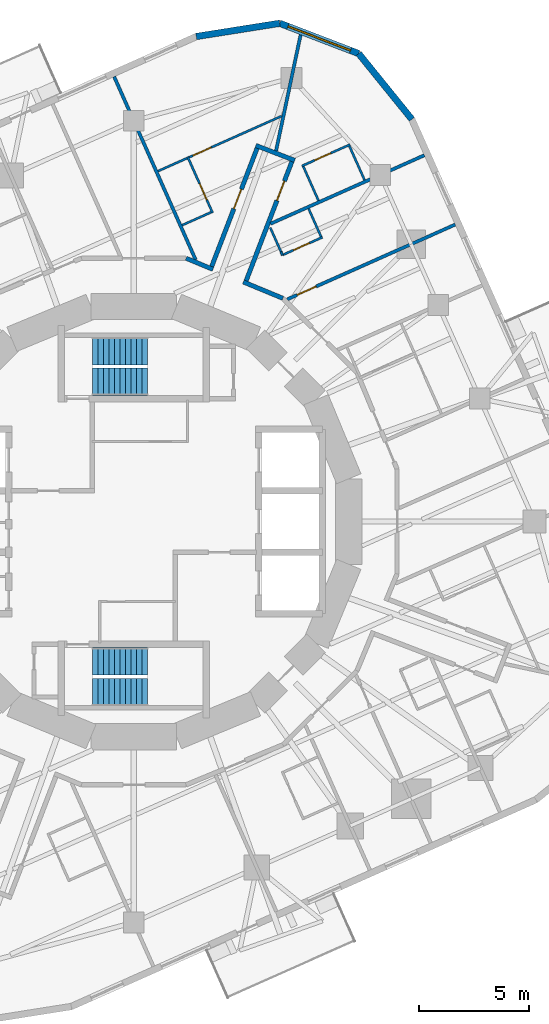
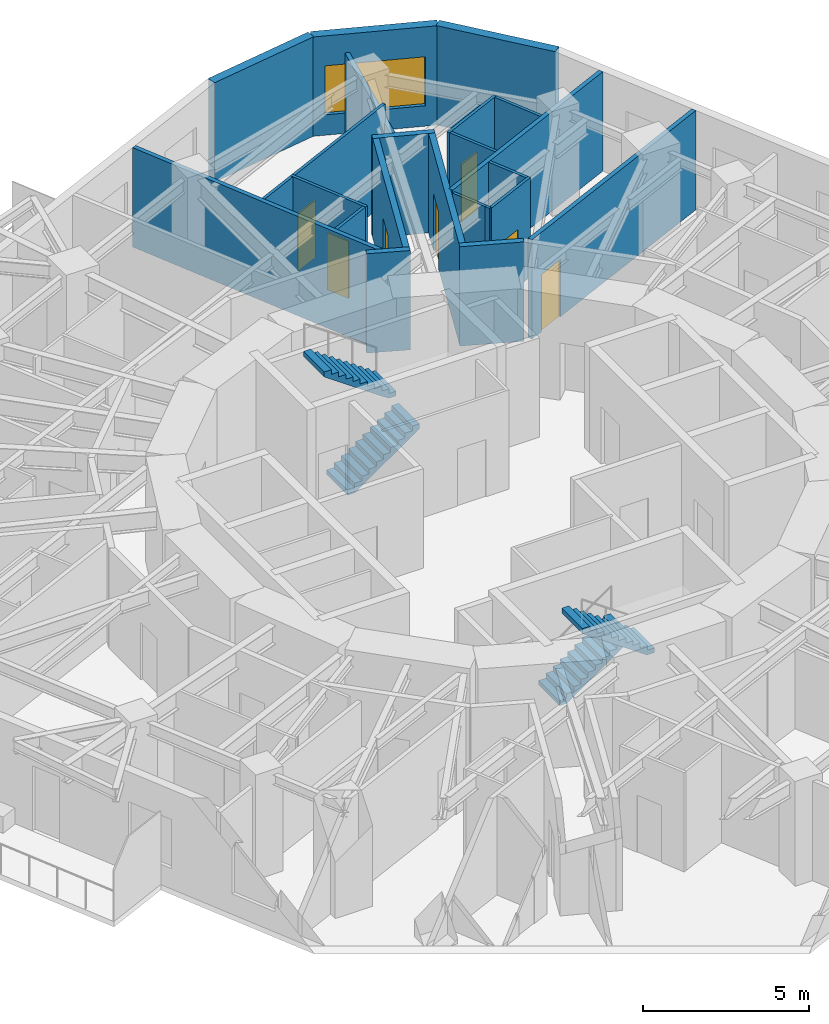
# One storey, part 10 of 12: 23 walls, 7 doors, 4 stair flights, 1 window, 8 openings, 2 elements without a shape of their own.
"""IFC4 building model written with IfcOpenShell, lengths in metres."""

from ifc_helpers import new_model, si_unit, direction, frame, frame_2d, origin, place, context, subcontext, project, spatial, polyline, rectangle, outline, extrude, material, layer, layer_set, type_object, element, fill, aggregate, save


model = new_model("IFC4")

# Units and contexts
model_context = context("Model", 3, precision=1e-05, world=origin(), true_north=direction((0.0, 1.0)))
body_context = subcontext(model_context, "Body", "Model", "MODEL_VIEW")
ifc_project = project(units=[si_unit("LENGTHUNIT", "METRE"), si_unit("AREAUNIT", "SQUARE_METRE"), si_unit("VOLUMEUNIT", "CUBIC_METRE"), si_unit("PLANEANGLEUNIT", "RADIAN"), si_unit("MASSUNIT", "GRAM", prefix="KILO")], contexts=[model_context])

# Site, building, storey
site_placement = place(None, origin())
site = spatial("IfcSite", under=ifc_project, at=site_placement, CompositionType="ELEMENT")
building_placement = place(site_placement, origin())
building = spatial("IfcBuilding", under=site, at=building_placement, Name="Nakasero Lantern House", CompositionType="ELEMENT")
storey_placement = place(building_placement, frame((0.0, 0.0, 194.0)))
storey = spatial("IfcBuildingStorey", under=building, at=storey_placement, Name="L47", CompositionType="ELEMENT", Elevation=194.0)

# Walls
ifc_material_1 = material(Name="Blockwork", Category="masonry")
ifc_layer_1 = layer(ifc_material_1, 0.199951171875)
ifc_layer_set_1 = layer_set([ifc_layer_1], Name="Corridor wall 200")
wall_type_1 = type_object("IfcWallType", Name="Corridor wall 200", PredefinedType="PARTITIONING", material=ifc_layer_set_1)
wall_1_placement = place(storey_placement, frame((2.388427734375, 12.0078125, 0.0), z_axis=(0.0, 0.0, 1.0), x_axis=(0.923893220228, -0.382650385623, 0.0)))
element("IfcWall", 1, at=wall_1_placement, inside=storey, type_object=wall_type_1, Name="Corridor wall L47 RC13a", PredefinedType="PARTITIONING", context=body_context, shape_type="SweptSolid", body=[
    extrude(rectangle(XDim=1.323974609375, YDim=0.199951171875, at=frame_2d((0.662109375, 0.0))), origin(), (0.0, 0.0, 1.0), 3.64990234375),
])
wall_2_placement = place(storey_placement, frame((4.997802734375, 10.927001953125, 0.0), z_axis=(0.0, 0.0, 1.0), x_axis=(0.923881222106, -0.382679353297, 0.0)))
element("IfcWall", 2, at=wall_2_placement, inside=storey, type_object=wall_type_1, Name="Corridor wall L47 RC13b", PredefinedType="PARTITIONING", context=body_context, shape_type="SweptSolid", body=[
    extrude(rectangle(XDim=1.952880859375, YDim=0.199951171875, at=frame_2d((0.9765625, 0.0))), origin(), (0.0, 0.0, 1.0), 3.64990234375),
])

# Wall, opening, door
wall_3_placement = place(storey_placement, frame((5.09033203125, 10.888671875, 0.0), z_axis=(0.0, 0.0, 1.0), x_axis=(0.35835059057, 0.933587089798, 0.0)))
wall_3 = element("IfcWall", 3, at=wall_3_placement, inside=storey, type_object=wall_type_1, Name="Corridor wall L47 SP0a", PredefinedType="PARTITIONING", context=body_context, shape_type="SweptSolid", body=[
    extrude(rectangle(XDim=6.117919921875, YDim=0.199951171875, at=frame_2d((3.05908203125, 0.0))), origin(), (0.0, 0.0, 1.0), 3.64990234375),
])
opening_1_placement = place(wall_3_placement, frame((4.02001953125, 0.0, 0.0)))
opening_1 = element("IfcOpeningElement", 4, at=opening_1_placement, cuts=wall_3, Name="Opening D01", PredefinedType="OPENING", context=body_context, shape_type="SweptSolid", body=[
    extrude(rectangle(XDim=0.949951171875, YDim=2.10009765625, at=frame_2d((0.47509765625, 1.050048828125))), frame((0.0, 0.119873046875, 0.0), z_axis=(0.0, -1.0, 0.0), x_axis=(1.0, 0.0, 0.0)), (0.0, 0.0, 1.0), 0.239990234375),
])
ifc_material_2 = material(Name="Timber C24", Category="wood")
door_type_1 = type_object("IfcDoorType", Name="Bedroom door FD30S 950", OperationType="SINGLE_SWING_LEFT", PredefinedType="DOOR", material=ifc_material_2)
door_1_placement = place(opening_1_placement, origin())
door_1 = element("IfcDoor", 5, at=door_1_placement, inside=storey, type_object=door_type_1, Name="Door L47 D0-06", OperationType="SINGLE_SWING_RIGHT", OverallHeight=2.10009765625, OverallWidth=0.949951171875, PredefinedType="DOOR", context=body_context, shape_type="SweptSolid", body=[
    extrude(rectangle(XDim=0.949951171875, YDim=2.10009765625, at=frame_2d((0.47509765625, 1.050048828125))), frame((0.0, 0.02490234375, 0.0), z_axis=(0.0, -1.0, 0.0), x_axis=(1.0, 0.0, 0.0)), (0.0, 0.0, 1.0), 0.050048828125),
])
fill(opening_1, door_1)

wall_4_placement = place(storey_placement, frame((3.51904296875, 11.53955078125, 0.0), z_axis=(0.0, 0.0, 1.0), x_axis=(0.358394497993, 0.93357023507, 0.0)))
wall_4 = element("IfcWall", 6, at=wall_4_placement, inside=storey, type_object=wall_type_1, Name="Corridor wall L47 SP0b", PredefinedType="PARTITIONING", context=body_context, shape_type="SweptSolid", body=[
    extrude(rectangle(XDim=6.07373046875, YDim=0.199951171875, at=frame_2d((3.036865234375, 0.0))), origin(), (0.0, 0.0, 1.0), 3.64990234375),
])
opening_2_placement = place(wall_4_placement, frame((2.919921875, 0.0, 0.0)))
opening_2 = element("IfcOpeningElement", 7, at=opening_2_placement, cuts=wall_4, Name="Opening D01", PredefinedType="OPENING", context=body_context, shape_type="SweptSolid", body=[
    extrude(rectangle(XDim=0.949951171875, YDim=2.10009765625, at=frame_2d((0.47509765625, 1.050048828125))), frame((0.0, 0.119873046875, 0.0), z_axis=(0.0, -1.0, 0.0), x_axis=(1.0, 0.0, 0.0)), (0.0, 0.0, 1.0), 0.239990234375),
])
door_2_placement = place(opening_2_placement, origin())
door_2 = element("IfcDoor", 8, at=door_2_placement, inside=storey, type_object=door_type_1, Name="Door L47 D1-00", OperationType="SINGLE_SWING_RIGHT", OverallHeight=2.10009765625, OverallWidth=0.949951171875, PredefinedType="DOOR", context=body_context, shape_type="SweptSolid", body=[
    extrude(rectangle(XDim=0.949951171875, YDim=2.10009765625, at=frame_2d((0.47509765625, 1.050048828125))), frame((0.0, 0.02490234375, 0.0), z_axis=(0.0, -1.0, 0.0), x_axis=(1.0, 0.0, 0.0)), (0.0, 0.0, 1.0), 0.050048828125),
])
fill(opening_2, door_2)

# Wall
wall_5_placement = place(storey_placement, frame((7.34033203125, 16.47119140625, 0.0), z_axis=(0.0, 0.0, 1.0), x_axis=(-0.933587135733, 0.3583504709, 0.0)))
element("IfcWall", 9, at=wall_5_placement, inside=storey, type_object=wall_type_1, Name="Corridor wall L47 SP0e", PredefinedType="PARTITIONING", context=body_context, shape_type="SweptSolid", body=[
    extrude(rectangle(XDim=1.900146484375, YDim=0.199951171875, at=frame_2d((0.9501953125, 0.0))), origin(), (0.0, 0.0, 1.0), 3.64990234375),
])

# Wall, opening, door
ifc_material_3 = material(Name="Blockwork", Category="masonry")
ifc_layer_2 = layer(ifc_material_3, 0.10009765625)
ifc_layer_set_2 = layer_set([ifc_layer_2], Name="En-suite wall 100")
wall_type_2 = type_object("IfcWallType", Name="En-suite wall 100", PredefinedType="PARTITIONING", material=ifc_layer_set_2)
wall_6_placement = place(storey_placement, frame((6.78125, 12.153564453125, 0.0), z_axis=(0.0, 0.0, 1.0), x_axis=(0.913529410294, 0.406772684097, 0.0)))
wall_6 = element("IfcWall", 10, at=wall_6_placement, inside=storey, type_object=wall_type_2, Name="En-suite wall L47 ES0-05", PredefinedType="PARTITIONING", context=body_context, shape_type="SweptSolid", body=[
    extrude(rectangle(XDim=1.999755859375, YDim=0.10009765625, at=frame_2d((1.0, 0.0))), origin(), (0.0, 0.0, 1.0), 3.64990234375),
])
opening_3_placement = place(wall_6_placement, frame((0.550048828125, 0.0, 0.0)))
opening_3 = element("IfcOpeningElement", 11, at=opening_3_placement, cuts=wall_6, Name="Opening D02", PredefinedType="OPENING", context=body_context, shape_type="SweptSolid", body=[
    extrude(rectangle(XDim=0.800048828125, YDim=2.10009765625, at=frame_2d((0.39990234375, 1.050048828125))), frame((0.0, 0.070068359375, 0.0), z_axis=(0.0, -1.0, 0.0), x_axis=(1.0, 0.0, 0.0)), (0.0, 0.0, 1.0), 0.14013671875),
])
ifc_material_4 = material(Name="Timber C24", Category="wood")
door_type_2 = type_object("IfcDoorType", Name="En-suite door 800", OperationType="SINGLE_SWING_RIGHT", PredefinedType="DOOR", material=ifc_material_4)
door_3_placement = place(opening_3_placement, origin())
door_3 = element("IfcDoor", 12, at=door_3_placement, inside=storey, type_object=door_type_2, Name="Door L47 DE0-05", OperationType="SINGLE_SWING_LEFT", OverallHeight=2.10009765625, OverallWidth=0.800048828125, PredefinedType="DOOR", context=body_context, shape_type="SweptSolid", body=[
    extrude(rectangle(XDim=0.800048828125, YDim=2.10009765625, at=frame_2d((0.39990234375, 1.050048828125))), frame((0.0, 0.02490234375, 0.0), z_axis=(0.0, -1.0, 0.0), x_axis=(1.0, 0.0, 0.0)), (0.0, 0.0, 1.0), 0.050048828125),
])
fill(opening_3, door_3)

# Wall
wall_7_placement = place(storey_placement, frame((8.542236328125, 12.992431640625, 0.0), z_axis=(0.0, 0.0, 1.0), x_axis=(-0.406866486472, 0.913487636581, 0.0)))
element("IfcWall", 13, at=wall_7_placement, inside=storey, type_object=wall_type_2, Name="En-suite wall L47 EE0-05", PredefinedType="PARTITIONING", context=body_context, shape_type="SweptSolid", body=[
    extrude(rectangle(XDim=1.39990234375, YDim=0.10009765625, at=frame_2d((0.699951171875, 0.0))), origin(), (0.0, 0.0, 1.0), 3.64990234375),
])

# Wall, opening, door
wall_8_placement = place(storey_placement, frame((7.66748046875, 16.215087890625, 0.0), z_axis=(0.0, 0.0, 1.0), x_axis=(0.913530294257, 0.40677069889, 0.0)))
wall_8 = element("IfcWall", 14, at=wall_8_placement, inside=storey, type_object=wall_type_2, Name="En-suite wall L47 ES0-06", PredefinedType="PARTITIONING", context=body_context, shape_type="SweptSolid", body=[
    extrude(rectangle(XDim=2.400146484375, YDim=0.10009765625, at=frame_2d((1.2001953125, 0.0))), origin(), (0.0, 0.0, 1.0), 3.64990234375),
])
opening_4_placement = place(wall_8_placement, frame((0.64990234375, 0.0, 0.0)))
opening_4 = element("IfcOpeningElement", 15, at=opening_4_placement, cuts=wall_8, Name="Opening D02", PredefinedType="OPENING", context=body_context, shape_type="SweptSolid", body=[
    extrude(rectangle(XDim=0.800048828125, YDim=2.10009765625, at=frame_2d((0.39990234375, 1.050048828125))), frame((0.0, 0.070068359375, 0.0), z_axis=(0.0, -1.0, 0.0), x_axis=(1.0, 0.0, 0.0)), (0.0, 0.0, 1.0), 0.14013671875),
])
door_4_placement = place(opening_4_placement, origin())
door_4 = element("IfcDoor", 16, at=door_4_placement, inside=storey, type_object=door_type_2, Name="Door L47 DE0-06", OperationType="SINGLE_SWING_LEFT", OverallHeight=2.10009765625, OverallWidth=0.800048828125, PredefinedType="DOOR", context=body_context, shape_type="SweptSolid", body=[
    extrude(rectangle(XDim=0.800048828125, YDim=2.10009765625, at=frame_2d((0.39990234375, 1.050048828125))), frame((0.0, 0.02490234375, 0.0), z_axis=(0.0, -1.0, 0.0), x_axis=(1.0, 0.0, 0.0)), (0.0, 0.0, 1.0), 0.050048828125),
])
fill(opening_4, door_4)

# Walls
wall_9_placement = place(storey_placement, frame((10.526123046875, 15.572265625, 0.0), z_axis=(0.0, 0.0, 1.0), x_axis=(-0.406724697108, 0.913550776237, 0.0)))
element("IfcWall", 17, at=wall_9_placement, inside=storey, type_object=wall_type_2, Name="En-suite wall L47 EE0-06", PredefinedType="PARTITIONING", context=body_context, shape_type="SweptSolid", body=[
    extrude(rectangle(XDim=1.699951171875, YDim=0.10009765625, at=frame_2d((0.85009765625, 0.0))), origin(), (0.0, 0.0, 1.0), 3.64990234375),
])
wall_10_placement = place(storey_placement, frame((8.425048828125, 14.63671875, 0.0), z_axis=(0.0, 0.0, 1.0), x_axis=(-0.406671340378, 0.91357452948, 0.0)))
element("IfcWall", 18, at=wall_10_placement, inside=storey, type_object=wall_type_2, Name="En-suite wall L47 EI0-06", PredefinedType="PARTITIONING", context=body_context, shape_type="SweptSolid", body=[
    extrude(rectangle(XDim=1.7001953125, YDim=0.10009765625, at=frame_2d((0.85009765625, 0.0))), origin(), (0.0, 0.0, 1.0), 3.64990234375),
])

# Wall, opening, door
wall_11_placement = place(storey_placement, frame((3.594482421875, 14.079345703125, 0.0), z_axis=(0.0, 0.0, 1.0), x_axis=(-0.406761316386, 0.913534471978, 0.0)))
wall_11 = element("IfcWall", 19, at=wall_11_placement, inside=storey, type_object=wall_type_2, Name="En-suite wall L47 ES1-00", PredefinedType="PARTITIONING", context=body_context, shape_type="SweptSolid", body=[
    extrude(rectangle(XDim=2.800048828125, YDim=0.10009765625, at=frame_2d((1.39990234375, 0.0))), origin(), (0.0, 0.0, 1.0), 3.64990234375),
])
opening_5_placement = place(wall_11_placement, frame((0.64990234375, 0.0, 0.0)))
opening_5 = element("IfcOpeningElement", 20, at=opening_5_placement, cuts=wall_11, Name="Opening D02", PredefinedType="OPENING", context=body_context, shape_type="SweptSolid", body=[
    extrude(rectangle(XDim=0.800048828125, YDim=2.10009765625, at=frame_2d((0.39990234375, 1.050048828125))), frame((0.0, 0.070068359375, 0.0), z_axis=(0.0, -1.0, 0.0), x_axis=(1.0, 0.0, 0.0)), (0.0, 0.0, 1.0), 0.14013671875),
])
door_5_placement = place(opening_5_placement, origin())
door_5 = element("IfcDoor", 21, at=door_5_placement, inside=storey, type_object=door_type_2, Name="Door L47 DE1-00", OperationType="SINGLE_SWING_LEFT", OverallHeight=2.10009765625, OverallWidth=0.800048828125, PredefinedType="DOOR", context=body_context, shape_type="SweptSolid", body=[
    extrude(rectangle(XDim=0.800048828125, YDim=2.10009765625, at=frame_2d((0.39990234375, 1.050048828125))), frame((0.0, 0.02490234375, 0.0), z_axis=(0.0, -1.0, 0.0), x_axis=(1.0, 0.0, 0.0)), (0.0, 0.0, 1.0), 0.050048828125),
])
fill(opening_5, door_5)

# Walls
for number, where, z_axis, x_axis, name in (
    (22, (2.430419921875, 16.571044921875, 0.0), (0.0, 0.0, 1.0), (-0.91359617957, -0.406622700638, 0.0), "En-suite wall L47 EE1-00"),
    (23, (3.528564453125, 14.1044921875, 0.0), (0.0, 0.0, 1.0), (-0.91359617957, -0.406622700638, 0.0), "En-suite wall L47 EI1-00"),
):
    element("IfcWall", number, at=place(storey_placement, frame(where, z_axis=z_axis, x_axis=x_axis)), inside=storey, type_object=wall_type_2, Name=name, PredefinedType="PARTITIONING", context=body_context, shape_type="SweptSolid", body=[
        extrude(rectangle(XDim=1.449951171875, YDim=0.10009765625, at=frame_2d((0.72509765625, 0.0))), origin(), (0.0, 0.0, 1.0), 3.64990234375),
    ])

# Wall, opening, door
wall_12_placement = place(storey_placement, frame((6.749267578125, 18.494140625, 0.0), z_axis=(0.0, 0.0, 1.0), x_axis=(-0.913537222533, -0.406755138931, 0.0)))
wall_12 = element("IfcWall", 24, at=wall_12_placement, inside=storey, type_object=wall_type_2, Name="En-suite wall L47 EL1-00", PredefinedType="PARTITIONING", context=body_context, shape_type="SweptSolid", body=[
    extrude(rectangle(XDim=4.627685546875, YDim=0.10009765625, at=frame_2d((2.31396484375, 0.0))), origin(), (0.0, 0.0, 1.0), 3.64990234375),
])
opening_6_placement = place(wall_12_placement, frame((3.527587890625, 0.0, 0.0)))
opening_6 = element("IfcOpeningElement", 25, at=opening_6_placement, cuts=wall_12, Name="Opening D17", PredefinedType="OPENING", context=body_context, shape_type="SweptSolid", body=[
    extrude(rectangle(XDim=0.89990234375, YDim=2.10009765625, at=frame_2d((0.449951171875, 1.050048828125))), frame((0.0, 0.070068359375, 0.0), z_axis=(0.0, -1.0, 0.0), x_axis=(1.0, 0.0, 0.0)), (0.0, 0.0, 1.0), 0.14013671875),
])
ifc_material_5 = material(Name="Timber C24", Category="wood")
door_type_3 = type_object("IfcDoorType", Name="Bedroom door FD30S 900", OperationType="SINGLE_SWING_LEFT", PredefinedType="DOOR", material=ifc_material_5)
door_6_placement = place(opening_6_placement, origin())
door_6 = element("IfcDoor", 26, at=door_6_placement, inside=storey, type_object=door_type_3, Name="Door L47 DL1-00", OperationType="SINGLE_SWING_RIGHT", OverallHeight=2.10009765625, OverallWidth=0.89990234375, PredefinedType="DOOR", context=body_context, shape_type="SweptSolid", body=[
    extrude(rectangle(XDim=0.89990234375, YDim=2.10009765625, at=frame_2d((0.449951171875, 1.050048828125))), frame((0.0, 0.02490234375, 0.0), z_axis=(0.0, -1.0, 0.0), x_axis=(1.0, 0.0, 0.0)), (0.0, 0.0, 1.0), 0.050048828125),
])
fill(opening_6, door_6)

# Walls
wall_13_placement = place(storey_placement, frame((6.225830078125, 13.400634765625, 0.0), z_axis=(0.0, 0.0, 1.0), x_axis=(0.406739792336, -0.913544055495, 0.0)))
element("IfcWall", 27, at=wall_13_placement, inside=storey, type_object=wall_type_2, Name="En-suite wall L47 EX000", PredefinedType="PARTITIONING", context=body_context, shape_type="SweptSolid", body=[
    extrude(rectangle(XDim=1.205322265625, YDim=0.10009765625, at=frame_2d((0.6025390625, 0.0))), origin(), (0.0, 0.0, 1.0), 3.64990234375),
])
wall_14_placement = place(storey_placement, frame((6.78125, 12.153564453125, 0.0), z_axis=(0.0, 0.0, 1.0), x_axis=(-0.407696311466, 0.913117581485, 0.0)))
element("IfcWall", 28, at=wall_14_placement, inside=storey, type_object=wall_type_2, Name="En-suite wall L47 ES0-05R0", PredefinedType="PARTITIONING", context=body_context, shape_type="SweptSolid", body=[
    extrude(rectangle(XDim=0.159912109375, YDim=0.10009765625, at=frame_2d((0.080078125, 0.0))), origin(), (0.0, 0.0, 1.0), 3.64990234375),
])
ifc_material_6 = material(Name="Aluminium rainscreen on blockwork", Category="masonry")
ifc_layer_3 = layer(ifc_material_6, 0.300048828125)
ifc_layer_set_3 = layer_set([ifc_layer_3], Name="Facade wall 300")
wall_type_3 = type_object("IfcWallType", Name="Facade wall 300", PredefinedType="SOLIDWALL", material=ifc_layer_set_3)
wall_15_placement = place(storey_placement, frame((12.684814453125, 18.345458984375, 0.0), z_axis=(0.0, 0.0, 1.0), x_axis=(-0.629285642335, 0.777174099125, 0.0)))
element("IfcWall", 29, at=wall_15_placement, inside=storey, type_object=wall_type_3, Name="Facade wall L47 FW0C1", PredefinedType="SOLIDWALL", context=body_context, shape_type="SweptSolid", body=[
    extrude(rectangle(XDim=3.8564453125, YDim=0.300048828125, at=frame_2d((1.92822265625, 0.0))), origin(), (0.0, 0.0, 1.0), 3.64990234375),
])

# Wall, opening, window
wall_16_placement = place(storey_placement, frame((10.258056640625, 21.342529296875, 0.0), z_axis=(0.0, 0.0, 1.0), x_axis=(-0.933598278948, 0.358321438858, 0.0)))
wall_16 = element("IfcWall", 30, at=wall_16_placement, inside=storey, type_object=wall_type_3, Name="Facade wall L47 FW0C2", PredefinedType="SOLIDWALL", context=body_context, shape_type="SweptSolid", body=[
    extrude(rectangle(XDim=3.8564453125, YDim=0.300048828125, at=frame_2d((1.92822265625, 0.0))), origin(), (0.0, 0.0, 1.0), 3.64990234375),
])
opening_7_placement = place(wall_16_placement, frame((0.39990234375, 0.0, 0.75)))
opening_7 = element("IfcOpeningElement", 31, at=opening_7_placement, cuts=wall_16, Name="Opening W230", PredefinedType="OPENING", context=body_context, shape_type="SweptSolid", body=[
    extrude(rectangle(XDim=3.055908203125, YDim=1.800048828125, at=frame_2d((1.52783203125, 0.89990234375))), frame((0.0, 0.169921875, 0.0), z_axis=(0.0, -1.0, 0.0), x_axis=(1.0, 0.0, 0.0)), (0.0, 0.0, 1.0), 0.340087890625),
])
ifc_material_7 = material(Name="Aluminium 6063-T6 and glass", Category="aluminium")
window_type = type_object("IfcWindowType", Name="Corner window 3056x1800", PartitioningType="SINGLE_PANEL", PredefinedType="WINDOW", material=ifc_material_7)
window_placement = place(opening_7_placement, origin())
window = element("IfcWindow", 32, at=window_placement, inside=storey, type_object=window_type, Name="Window L47 WC0", OverallHeight=1.800048828125, OverallWidth=3.055908203125, PartitioningType="SINGLE_PANEL", PredefinedType="WINDOW", context=body_context, shape_type="SweptSolid", body=[
    extrude(rectangle(XDim=3.055908203125, YDim=1.800048828125, at=frame_2d((1.52783203125, 0.89990234375))), frame((0.0, 0.030029296875, 0.0), z_axis=(0.0, -1.0, 0.0), x_axis=(1.0, 0.0, 0.0)), (0.0, 0.0, 1.0), 0.06005859375),
])
fill(opening_7, window)

# Wall
wall_17_placement = place(storey_placement, frame((6.65771484375, 22.724365234375, 0.0), z_axis=(0.0, 0.0, 1.0), x_axis=(-0.987687906802, -0.156437203878, 0.0)))
element("IfcWall", 33, at=wall_17_placement, inside=storey, type_object=wall_type_3, Name="Facade wall L47 FW0C3", PredefinedType="SOLIDWALL", context=body_context, shape_type="SweptSolid", body=[
    extrude(rectangle(XDim=3.856201171875, YDim=0.300048828125, at=frame_2d((1.92822265625, 0.0))), origin(), (0.0, 0.0, 1.0), 3.64990234375),
])

# Wall, opening, door
ifc_material_8 = material(Name="Blockwork", Category="masonry")
ifc_layer_4 = layer(ifc_material_8, 0.14990234375)
ifc_layer_set_4 = layer_set([ifc_layer_4], Name="Party wall 150")
wall_type_4 = type_object("IfcWallType", Name="Party wall 150", PredefinedType="PARTITIONING", material=ifc_layer_set_4)
wall_18_placement = place(storey_placement, frame((6.99267578125, 10.130615234375, 0.0), z_axis=(0.0, 0.0, 1.0), x_axis=(0.913547411288, 0.406732255089, 0.0)))
wall_18 = element("IfcWall", 34, at=wall_18_placement, inside=storey, type_object=wall_type_4, Name="Party wall L47 PW0-05", PredefinedType="PARTITIONING", context=body_context, shape_type="SweptSolid", body=[
    extrude(rectangle(XDim=8.3916015625, YDim=0.14990234375, at=frame_2d((4.19580078125, 0.0))), origin(), (0.0, 0.0, 1.0), 3.64990234375),
])
opening_8_placement = place(wall_18_placement, frame((0.5, 0.0, 0.0)))
opening_8 = element("IfcOpeningElement", 35, at=opening_8_placement, cuts=wall_18, Name="Opening D01", PredefinedType="OPENING", context=body_context, shape_type="SweptSolid", body=[
    extrude(rectangle(XDim=0.949951171875, YDim=2.10009765625, at=frame_2d((0.47509765625, 1.050048828125))), frame((0.0, 0.094970703125, 0.0), z_axis=(0.0, -1.0, 0.0), x_axis=(1.0, 0.0, 0.0)), (0.0, 0.0, 1.0), 0.18994140625),
])
door_7_placement = place(opening_8_placement, origin())
door_7 = element("IfcDoor", 36, at=door_7_placement, inside=storey, type_object=door_type_1, Name="Door L47 DS0-05", OperationType="SINGLE_SWING_LEFT", OverallHeight=2.10009765625, OverallWidth=0.949951171875, PredefinedType="DOOR", context=body_context, shape_type="SweptSolid", body=[
    extrude(rectangle(XDim=0.949951171875, YDim=2.10009765625, at=frame_2d((0.47509765625, 1.050048828125))), frame((0.0, 0.02490234375, 0.0), z_axis=(0.0, -1.0, 0.0), x_axis=(1.0, 0.0, 0.0)), (0.0, 0.0, 1.0), 0.050048828125),
])
fill(opening_8, door_7)

# Walls
wall_19_placement = place(storey_placement, frame((6.2294921875, 13.5771484375, 0.0), z_axis=(0.0, 0.0, 1.0), x_axis=(0.913546787387, 0.406733656408, 0.0)))
element("IfcWall", 37, at=wall_19_placement, inside=storey, type_object=wall_type_4, Name="Party wall L47 PW0-06", PredefinedType="PARTITIONING", context=body_context, shape_type="SweptSolid", body=[
    extrude(rectangle(XDim=7.686767578125, YDim=0.14990234375, at=frame_2d((3.84326171875, 0.0))), origin(), (0.0, 0.0, 1.0), 3.64990234375),
])
wall_20_placement = place(storey_placement, frame((6.4892578125, 16.905029296875, 0.0), z_axis=(0.0, 0.0, 1.0), x_axis=(0.207273681618, 0.97828299633, 0.0)))
element("IfcWall", 38, at=wall_20_placement, inside=storey, type_object=wall_type_4, Name="Party wall L47 PW1-00", PredefinedType="PARTITIONING", context=body_context, shape_type="SweptSolid", body=[
    extrude(rectangle(XDim=5.4052734375, YDim=0.14990234375, at=frame_2d((2.70263671875, 0.0))), origin(), (0.0, 0.0, 1.0), 2.966552734375),
])
wall_21_placement = place(storey_placement, frame((2.824951171875, 11.935302734375, 0.0), z_axis=(0.0, 0.0, 1.0), x_axis=(-0.40672291788, 0.91355156837, 0.0)))
element("IfcWall", 39, at=wall_21_placement, inside=storey, type_object=wall_type_4, Name="Party wall L47 PW1-01", PredefinedType="PARTITIONING", context=body_context, shape_type="SweptSolid", body=[
    extrude(rectangle(XDim=9.1455078125, YDim=0.14990234375, at=frame_2d((4.57275390625, 0.0))), origin(), (0.0, 0.0, 1.0), 3.64990234375),
])

# Stair, stair flights
ifc_material_9 = material(Name="Concrete C40/50", Category="concrete")
stair_type_1 = type_object("IfcStairType", Name="Escape stair ST1 22 risers", PredefinedType="HALF_TURN_STAIR", material=ifc_material_9)
stair_1_placement = place(storey_placement, origin())
stair_1 = element("IfcStair", 40, at=stair_1_placement, inside=storey, type_object=stair_type_1, Name="Escape stair ST1 L47", PredefinedType="HALF_TURN_STAIR")
ifc_material_10 = material(Name="Concrete C40/50", Category="concrete")
stair_flight_type = type_object("IfcStairFlightType", Name="Escape stair flight", PredefinedType="STRAIGHT", material=ifc_material_10)
stair_flight_1_placement = place(storey_placement, frame((-1.875, 6.375, 0.0), z_axis=(0.0, 0.0, 1.0), x_axis=(1.0, 0.0, 0.0)))
stair_flight_1 = element("IfcStairFlight", 41, at=stair_flight_1_placement, type_object=stair_flight_type, Name="ST1 flight 1", NumberOfRisers=11, NumberOfTreads=10, PredefinedType="STRAIGHT", RiserHeight=0.175, TreadLength=0.25, context=body_context, shape_type="SweptSolid", body=[
    extrude(outline(polyline([(0.0, 0.0), (0.0, 0.175048828125), (0.25, 0.175048828125), (0.25, 0.35009765625), (0.5, 0.35009765625), (0.5, 0.52490234375), (0.75, 0.52490234375), (0.75, 0.699951171875), (1.0, 0.699951171875), (1.0, 0.875), (1.25, 0.875), (1.25, 1.050048828125), (1.5, 1.050048828125), (1.5, 1.22509765625), (1.75, 1.22509765625), (1.75, 1.39990234375), (2.0, 1.39990234375), (2.0, 1.574951171875), (2.25, 1.574951171875), (2.25, 1.75), (2.5, 1.75), (2.5, 1.925048828125), (2.5, 1.567138671875), (0.261474609375, 0.0), (0.0, 0.0)])), frame((0.0, 0.625, 0.0), z_axis=(0.0, -1.0, 0.0), x_axis=(1.0, 0.0, 0.0)), (0.0, 0.0, 1.0), 1.25),
])
stair_flight_2_placement = place(storey_placement, frame((0.625, 7.77490234375, 1.925048828125), z_axis=(0.0, 0.0, 1.0), x_axis=(-1.0, 0.0, 0.0)))
stair_flight_2 = element("IfcStairFlight", 42, at=stair_flight_2_placement, type_object=stair_flight_type, Name="ST1 flight 2", NumberOfRisers=11, NumberOfTreads=10, PredefinedType="STRAIGHT", RiserHeight=0.175, TreadLength=0.25, context=body_context, shape_type="SweptSolid", body=[
    extrude(outline(polyline([(0.0, 0.0), (0.0, 0.175048828125), (0.25, 0.175048828125), (0.25, 0.35009765625), (0.5, 0.35009765625), (0.5, 0.52490234375), (0.75, 0.52490234375), (0.75, 0.699951171875), (1.0, 0.699951171875), (1.0, 0.875), (1.25, 0.875), (1.25, 1.050048828125), (1.5, 1.050048828125), (1.5, 1.22509765625), (1.75, 1.22509765625), (1.75, 1.39990234375), (2.0, 1.39990234375), (2.0, 1.574951171875), (2.25, 1.574951171875), (2.25, 1.75), (2.5, 1.75), (2.5, 1.925048828125), (2.5, 1.567138671875), (0.261474609375, 0.0), (0.0, 0.0)])), frame((0.0, 0.625, 0.0), z_axis=(0.0, -1.0, 0.0), x_axis=(1.0, 0.0, 0.0)), (0.0, 0.0, 1.0), 1.25),
])
aggregate(stair_1, [stair_flight_1, stair_flight_2])

ifc_material_11 = material(Name="Concrete C40/50", Category="concrete")
stair_type_2 = type_object("IfcStairType", Name="Escape stair ST2 22 risers", PredefinedType="HALF_TURN_STAIR", material=ifc_material_11)
stair_2_placement = place(storey_placement, origin())
stair_2 = element("IfcStair", 43, at=stair_2_placement, inside=storey, type_object=stair_type_2, Name="Escape stair ST2 L47", PredefinedType="HALF_TURN_STAIR")
stair_flight_3_placement = place(storey_placement, frame((-1.875, -6.375, 0.0), z_axis=(0.0, 0.0, 1.0), x_axis=(1.0, 0.0, 0.0)))
stair_flight_3 = element("IfcStairFlight", 44, at=stair_flight_3_placement, type_object=stair_flight_type, Name="ST2 flight 1", NumberOfRisers=11, NumberOfTreads=10, PredefinedType="STRAIGHT", RiserHeight=0.175, TreadLength=0.25, context=body_context, shape_type="SweptSolid", body=[
    extrude(outline(polyline([(0.0, 0.0), (0.0, 0.175048828125), (0.25, 0.175048828125), (0.25, 0.35009765625), (0.5, 0.35009765625), (0.5, 0.52490234375), (0.75, 0.52490234375), (0.75, 0.699951171875), (1.0, 0.699951171875), (1.0, 0.875), (1.25, 0.875), (1.25, 1.050048828125), (1.5, 1.050048828125), (1.5, 1.22509765625), (1.75, 1.22509765625), (1.75, 1.39990234375), (2.0, 1.39990234375), (2.0, 1.574951171875), (2.25, 1.574951171875), (2.25, 1.75), (2.5, 1.75), (2.5, 1.925048828125), (2.5, 1.567138671875), (0.261474609375, 0.0), (0.0, 0.0)])), frame((0.0, 0.625, 0.0), z_axis=(0.0, -1.0, 0.0), x_axis=(1.0, 0.0, 0.0)), (0.0, 0.0, 1.0), 1.25),
])
stair_flight_4_placement = place(storey_placement, frame((0.625, -7.77490234375, 1.925048828125), z_axis=(0.0, 0.0, 1.0), x_axis=(-1.0, 0.0, 0.0)))
stair_flight_4 = element("IfcStairFlight", 45, at=stair_flight_4_placement, type_object=stair_flight_type, Name="ST2 flight 2", NumberOfRisers=11, NumberOfTreads=10, PredefinedType="STRAIGHT", RiserHeight=0.175, TreadLength=0.25, context=body_context, shape_type="SweptSolid", body=[
    extrude(outline(polyline([(0.0, 0.0), (0.0, 0.175048828125), (0.25, 0.175048828125), (0.25, 0.35009765625), (0.5, 0.35009765625), (0.5, 0.52490234375), (0.75, 0.52490234375), (0.75, 0.699951171875), (1.0, 0.699951171875), (1.0, 0.875), (1.25, 0.875), (1.25, 1.050048828125), (1.5, 1.050048828125), (1.5, 1.22509765625), (1.75, 1.22509765625), (1.75, 1.39990234375), (2.0, 1.39990234375), (2.0, 1.574951171875), (2.25, 1.574951171875), (2.25, 1.75), (2.5, 1.75), (2.5, 1.925048828125), (2.5, 1.567138671875), (0.261474609375, 0.0), (0.0, 0.0)])), frame((0.0, 0.625, 0.0), z_axis=(0.0, -1.0, 0.0), x_axis=(1.0, 0.0, 0.0)), (0.0, 0.0, 1.0), 1.25),
])
aggregate(stair_2, [stair_flight_3, stair_flight_4])

save(model, "model.ifc")
